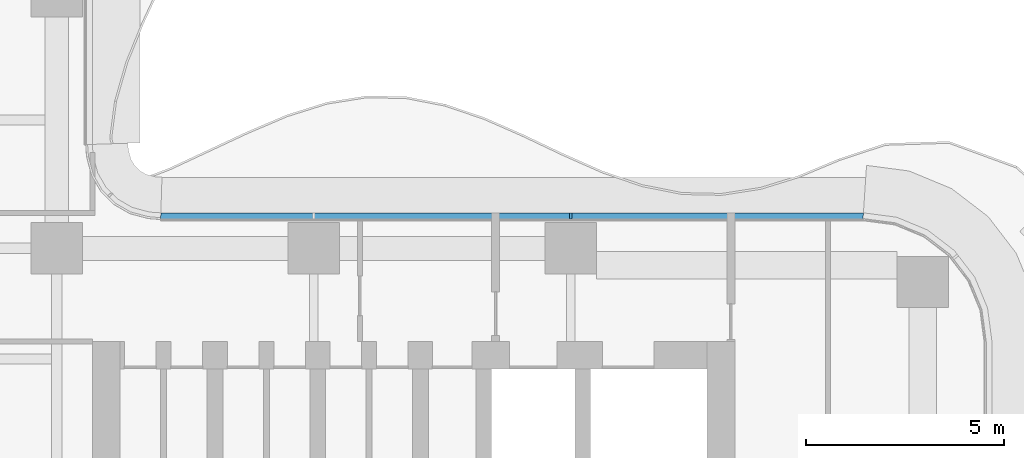
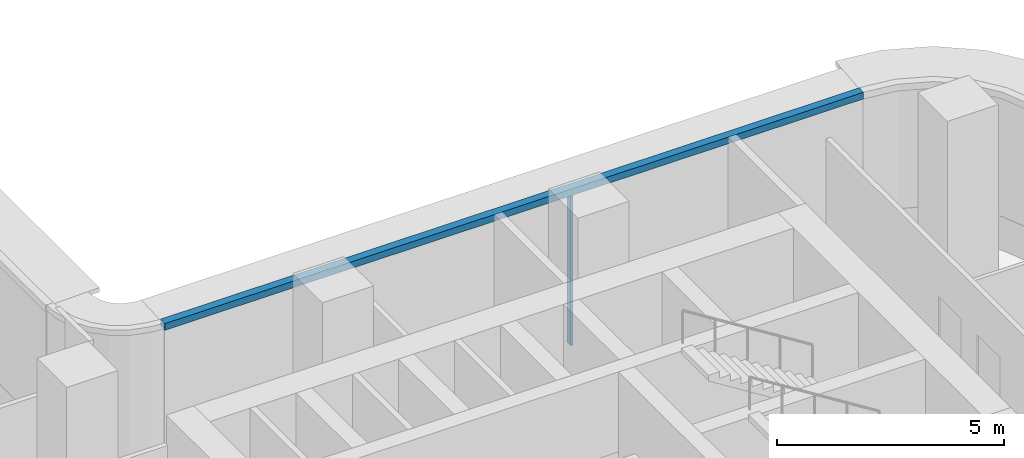
# One storey, part 10 of 20: 2 members, 1 element without a shape of its own.
"""IFC4 building model written with IfcOpenShell, lengths in metres."""

from ifc_helpers import new_model, si_unit, direction, frame, origin, origin_2d, place, context, subcontext, project, spatial, polyline, rectangle, outline, extrude, source, transform, mapped, material, layer, layer_set, material_profile, profile_set, type_object, element, aggregate, save


model = new_model("IFC4")

# Units and contexts
model_context = context("Model", 3, precision=1e-05, world=origin(), true_north=direction((0.0, 1.0)))
body_context = subcontext(model_context, "Body", "Model", "MODEL_VIEW")
ifc_project = project(units=[si_unit("LENGTHUNIT", "METRE"), si_unit("AREAUNIT", "SQUARE_METRE"), si_unit("VOLUMEUNIT", "CUBIC_METRE"), si_unit("PLANEANGLEUNIT", "RADIAN"), si_unit("MASSUNIT", "GRAM", prefix="KILO")], contexts=[model_context])

# Site, building, storey
site_placement = place(None, origin())
site = spatial("IfcSite", under=ifc_project, at=site_placement, CompositionType="ELEMENT")
building_placement = place(site_placement, origin())
building = spatial("IfcBuilding", under=site, at=building_placement, Name="Trellis Farm Tower", CompositionType="ELEMENT")
storey_placement = place(building_placement, frame((0.0, 0.0, 142.5)))
storey = spatial("IfcBuildingStorey", under=building, at=storey_placement, Name="L30", CompositionType="ELEMENT", Elevation=142.5)

# Curtain wall, members
ifc_material_1 = material(Name="Aluminium and glass curtain wall", Category="aluminium")
ifc_layer_1 = layer(ifc_material_1, 0.18994140625)
ifc_layer_set_1 = layer_set([ifc_layer_1], Name="RIBBON CURTAIN WALL CW1")
curtain_wall_type = type_object("IfcCurtainWallType", Name="RIBBON CURTAIN WALL CW1", PredefinedType="NOTDEFINED", material=ifc_layer_set_1)
curtain_wall_placement = place(storey_placement, origin())
curtain_wall = element("IfcCurtainWall", 1, at=curtain_wall_placement, inside=storey, type_object=curtain_wall_type, Name="CW1 008", PredefinedType="NOTDEFINED")
ifc_material_2 = material(Name="Aluminium extrusion 6063-T6", Category="aluminium")
ifc_material_profile = material_profile(ifc_material_2, rectangle(XDim=0.06005859375, YDim=0.14990234375, at=origin_2d()), Name="MULLION 60x150")
ifc_profile_set = profile_set([ifc_material_profile], Name="Aluminium extrusion 6063-T6")
member_type_1 = type_object("IfcMemberType", Name="CW1 MULLION 60x150", PredefinedType="MULLION", material=ifc_profile_set)
shared_shape_1 = source(origin(), body_context, "Body", "SweptSolid", [
    extrude(rectangle(XDim=0.06005859375, YDim=0.14990234375, at=origin_2d()), origin(), (0.0, 0.0, 1.0), 4.070068359375),
])
member_1_placement = place(storey_placement, frame((18.60009765625, 6.425048828125, 0.0), z_axis=(0.0, 0.0, 1.0), x_axis=(-1.0, 0.0, 0.0)))
member_1 = element("IfcMember", 2, at=member_1_placement, type_object=member_type_1, Name="MU1 008-01", PredefinedType="MULLION", context=body_context, shape_type="MappedRepresentation", body=[
    mapped(shared_shape_1, transform((0.0, 0.0, 0.0))),
])
ifc_layer_2 = layer(ifc_material_2, 0.199951171875)
ifc_layer_set_2 = layer_set([ifc_layer_2], Name="Aluminium extrusion 6063-T6")
member_type_2 = type_object("IfcMemberType", Name="CW1 TRANSOM 200x180", PredefinedType="USERDEFINED", material=ifc_layer_set_2)
shared_shape_2 = source(origin(), body_context, "Body", "SweptSolid", [
    extrude(outline(polyline([(26.0, 6.5), (8.2314453125, 6.5), (8.224853515625, 6.300048828125), (25.98681640625, 6.300048828125), (26.0, 6.5)])), origin(), (0.0, 0.0, 1.0), 0.179931640625),
])
member_2_placement = place(storey_placement, frame((0.0, 0.0, 4.070068359375)))
member_2 = element("IfcMember", 3, at=member_2_placement, type_object=member_type_2, Name="TR1 008", ObjectType="TRANSOM", PredefinedType="USERDEFINED", context=body_context, shape_type="MappedRepresentation", body=[
    mapped(shared_shape_2, transform((0.0, 0.0, 0.0))),
])
aggregate(curtain_wall, [member_1, member_2])

save(model, "model.ifc")
